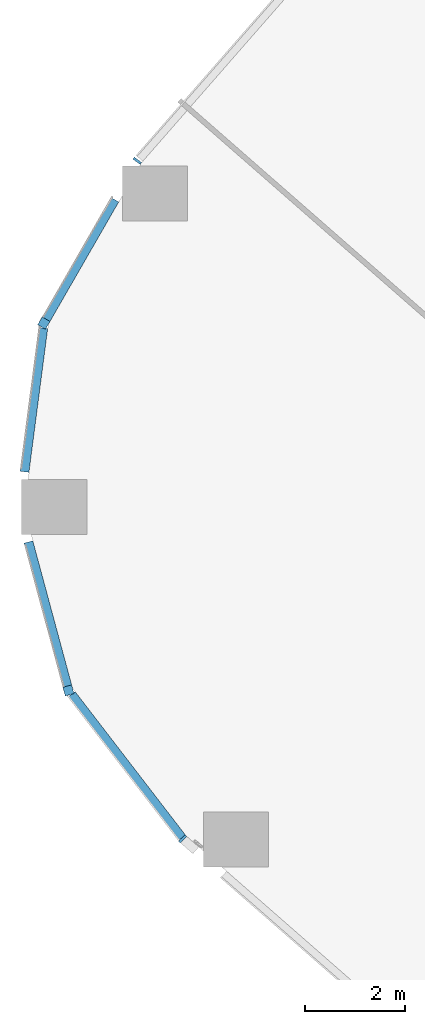
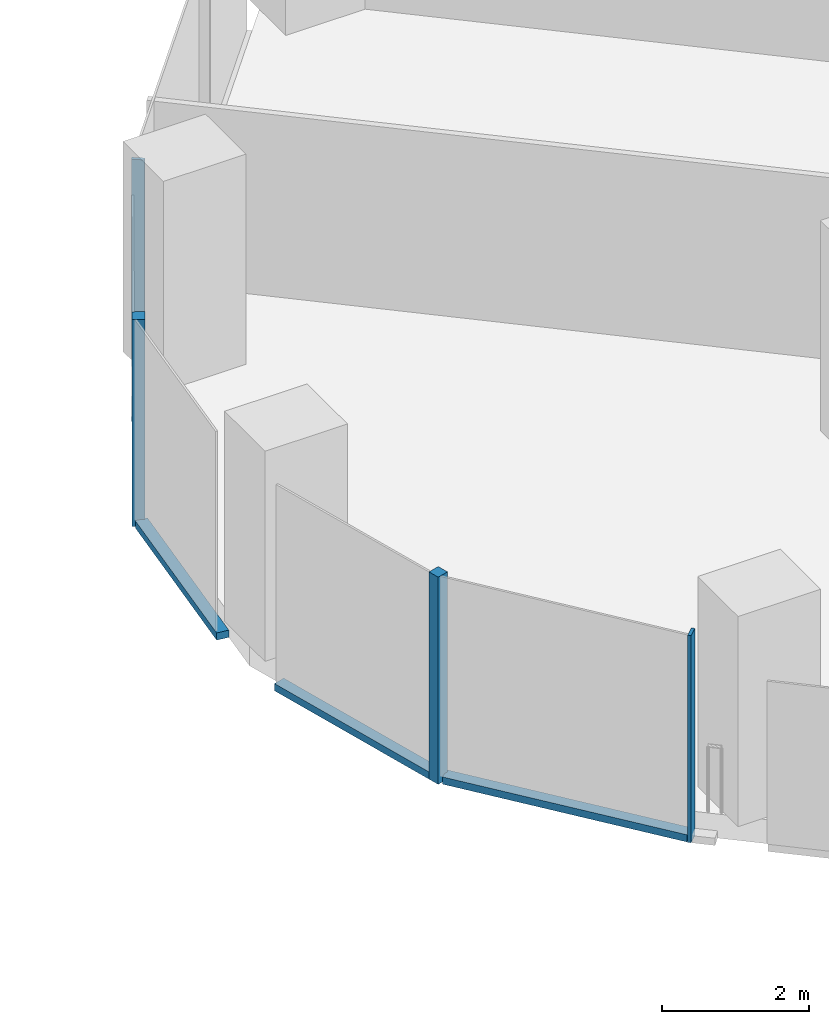
# One storey, part 3 of 38: 8 members, 5 elements without a shape of their own.
"""IFC4 building model written with IfcOpenShell, lengths in metres."""

from ifc_helpers import new_model, si_unit, direction, frame, origin, origin_2d, place, context, subcontext, project, spatial, rectangle, extrude, material, material_profile, profile_set, type_object, element, aggregate, save


model = new_model("IFC4")

# Units and contexts
model_context = context("Model", 3, precision=1e-05, world=origin(), true_north=direction((0.0, 1.0)))
body_context = subcontext(model_context, "Body", "Model", "MODEL_VIEW")
ifc_project = project(units=[si_unit("LENGTHUNIT", "METRE"), si_unit("AREAUNIT", "SQUARE_METRE"), si_unit("VOLUMEUNIT", "CUBIC_METRE"), si_unit("PLANEANGLEUNIT", "RADIAN"), si_unit("MASSUNIT", "GRAM", prefix="KILO")], contexts=[model_context])

# Site, building, storey
site_placement = place(None, origin())
site = spatial("IfcSite", under=ifc_project, at=site_placement, CompositionType="ELEMENT")
building_placement = place(site_placement, origin())
building = spatial("IfcBuilding", under=site, at=building_placement, Name="Orlundy Tower", CompositionType="ELEMENT")
storey_placement = place(building_placement, frame((0.0, 0.0, 72.800048828125)))
storey = spatial("IfcBuildingStorey", under=building, at=storey_placement, Name="L17", CompositionType="ELEMENT", Elevation=72.800048828125)

# Curtain wall, member
ifc_material_1 = material(Name="Aluminium bronze anodised", Category="aluminium")
curtain_wall_type = type_object("IfcCurtainWallType", Name="CW1 wall", PredefinedType="NOTDEFINED", material=ifc_material_1)
curtain_wall_1_placement = place(storey_placement, origin())
curtain_wall_1 = element("IfcCurtainWall", 1, at=curtain_wall_1_placement, inside=storey, type_object=curtain_wall_type, Name="CW1 run 09", PredefinedType="NOTDEFINED")
ifc_material_2 = material(Name="Aluminium bronze anodised", Category="aluminium")
ifc_material_profile_1 = material_profile(ifc_material_2, rectangle(XDim=0.179931640625, YDim=0.179931640625, at=origin_2d()), Name="CW1 corner post 180x180")
ifc_profile_set_1 = profile_set([ifc_material_profile_1], Name="Aluminium bronze anodised")
member_type_1 = type_object("IfcMemberType", Name="CW1 corner post 180x180", PredefinedType="MULLION", material=ifc_profile_set_1)
member_1_placement = place(storey_placement, frame((-49.413330078125, -34.982666015625, -0.400146484375), z_axis=(0.0, 0.0, 1.0), x_axis=(-0.965519317919, -0.260331417091, 0.0)))
member_1 = element("IfcMember", 2, at=member_1_placement, type_object=member_type_1, Name="CW1 mullion 23", PredefinedType="MULLION", context=body_context, shape_type="SweptSolid", body=[
    extrude(rectangle(XDim=0.179931640625, YDim=0.179931640625, at=origin_2d()), origin(), (0.0, 0.0, 1.0), 3.4501953125),
])

curtain_wall_2_placement = place(storey_placement, origin())
curtain_wall_2 = element("IfcCurtainWall", 3, at=curtain_wall_2_placement, inside=storey, type_object=curtain_wall_type, Name="CW1 run 011", PredefinedType="NOTDEFINED")
member_2_placement = place(storey_placement, frame((-49.904052734375, -27.65869140625, -0.400146484375), z_axis=(0.0, 0.0, 1.0), x_axis=(-0.866845089361, 0.498577567738, 0.0)))
member_2 = element("IfcMember", 4, at=member_2_placement, type_object=member_type_1, Name="CW1 mullion 25", PredefinedType="MULLION", context=body_context, shape_type="SweptSolid", body=[
    extrude(rectangle(XDim=0.179931640625, YDim=0.179931640625, at=origin_2d()), origin(), (0.0, 0.0, 1.0), 3.4501953125),
])

curtain_wall_3_placement = place(storey_placement, origin())
curtain_wall_3 = element("IfcCurtainWall", 5, at=curtain_wall_3_placement, inside=storey, type_object=curtain_wall_type, Name="CW1 run 08", PredefinedType="NOTDEFINED")
ifc_material_3 = material(Name="Aluminium bronze anodised", Category="aluminium")
ifc_material_profile_2 = material_profile(ifc_material_3, rectangle(XDim=0.179931640625, YDim=0.050048828125, at=origin_2d()), Name="CW1 mullion 50x180")
ifc_profile_set_2 = profile_set([ifc_material_profile_2], Name="Aluminium bronze anodised")
member_type_2 = type_object("IfcMemberType", Name="CW1 mullion 50x180", PredefinedType="MULLION", material=ifc_profile_set_2)
member_3_placement = place(storey_placement, frame((-47.135986328125, -37.94189453125, -0.400146484375), z_axis=(0.0, 0.0, 1.0), x_axis=(-0.728888590013, -0.684632327128, 0.0)))
member_3 = element("IfcMember", 6, at=member_3_placement, type_object=member_type_2, Name="CW1 mullion 22", PredefinedType="MULLION", context=body_context, shape_type="SweptSolid", body=[
    extrude(rectangle(XDim=0.179931640625, YDim=0.050048828125, at=origin_2d()), origin(), (0.0, 0.0, 1.0), 3.4501953125),
])

curtain_wall_4_placement = place(storey_placement, origin())
curtain_wall_4 = element("IfcCurtainWall", 7, at=curtain_wall_4_placement, inside=storey, type_object=curtain_wall_type, Name="CW1 run 012", PredefinedType="NOTDEFINED")
member_4_placement = place(storey_placement, frame((-48.04248046875, -24.42236328125, -0.400146484375), z_axis=(0.0, 0.0, 1.0), x_axis=(-0.813739112089, 0.581230296402, 0.0)))
member_4 = element("IfcMember", 8, at=member_4_placement, type_object=member_type_2, Name="CW1 mullion 26", PredefinedType="MULLION", context=body_context, shape_type="SweptSolid", body=[
    extrude(rectangle(XDim=0.179931640625, YDim=0.050048828125, at=origin_2d()), origin(), (0.0, 0.0, 1.0), 3.4501953125),
])
aggregate(curtain_wall_4, [member_4])

# Member
ifc_material_4 = material(Name="Aluminium bronze anodised", Category="aluminium")
ifc_material_profile_3 = material_profile(ifc_material_4, rectangle(XDim=0.179931640625, YDim=0.1201171875, at=origin_2d()), Name="CW1 transom 180x120")
ifc_profile_set_3 = profile_set([ifc_material_profile_3], Name="Aluminium bronze anodised")
member_type_3 = type_object("IfcMemberType", Name="CW1 transom 180x120", PredefinedType="USERDEFINED", material=ifc_profile_set_3)
member_5_placement = place(storey_placement, frame((-47.151123046875, -37.922119140625, -0.340087890625), z_axis=(-0.609861021509, 0.792508381309, 0.0), x_axis=(-0.792508381309, -0.609861021509, 0.0)))
member_5 = element("IfcMember", 9, at=member_5_placement, type_object=member_type_3, Name="CW1 transom", ObjectType="TRANSOM", PredefinedType="USERDEFINED", context=body_context, shape_type="SweptSolid", body=[
    extrude(rectangle(XDim=0.179931640625, YDim=0.1201171875, at=origin_2d()), origin(), (0.0, 0.0, 1.0), 3.61181640625),
])

aggregate(curtain_wall_3, [member_3, member_5])

member_6_placement = place(storey_placement, frame((-49.436767578125, -34.895751953125, -0.340087890625), z_axis=(-0.260276552613, 0.965534109268, 0.0), x_axis=(-0.965534109268, -0.260276552613, 0.0)))
member_6 = element("IfcMember", 10, at=member_6_placement, type_object=member_type_3, Name="CW1 transom", ObjectType="TRANSOM", PredefinedType="USERDEFINED", context=body_context, shape_type="SweptSolid", body=[
    extrude(rectangle(XDim=0.179931640625, YDim=0.1201171875, at=origin_2d()), origin(), (0.0, 0.0, 1.0), 2.975341796875),
])

aggregate(curtain_wall_1, [member_1, member_6])

# Curtain wall, member
curtain_wall_5_placement = place(storey_placement, origin())
curtain_wall_5 = element("IfcCurtainWall", 11, at=curtain_wall_5_placement, inside=storey, type_object=curtain_wall_type, Name="CW1 run 010", PredefinedType="NOTDEFINED")
member_7_placement = place(storey_placement, frame((-50.290283203125, -30.623046875, -0.340087890625), z_axis=(0.129238137404, 0.99161358595, 0.0), x_axis=(-0.99161358595, 0.129238137404, 0.0)))
member_7 = element("IfcMember", 12, at=member_7_placement, type_object=member_type_3, Name="CW1 transom", ObjectType="TRANSOM", PredefinedType="USERDEFINED", context=body_context, shape_type="SweptSolid", body=[
    extrude(rectangle(XDim=0.179931640625, YDim=0.1201171875, at=origin_2d()), origin(), (0.0, 0.0, 1.0), 2.89208984375),
])
aggregate(curtain_wall_5, [member_7])

# Member
member_8_placement = place(storey_placement, frame((-49.859130859375, -27.58056640625, -0.340087890625), z_axis=(0.498586294295, 0.866840070106, 0.0), x_axis=(-0.866840070106, 0.498586294295, 0.0)))
member_8 = element("IfcMember", 13, at=member_8_placement, type_object=member_type_3, Name="CW1 transom", ObjectType="TRANSOM", PredefinedType="USERDEFINED", context=body_context, shape_type="SweptSolid", body=[
    extrude(rectangle(XDim=0.179931640625, YDim=0.1201171875, at=origin_2d()), origin(), (0.0, 0.0, 1.0), 2.748046875),
])

aggregate(curtain_wall_2, [member_2, member_8])

save(model, "model.ifc")
